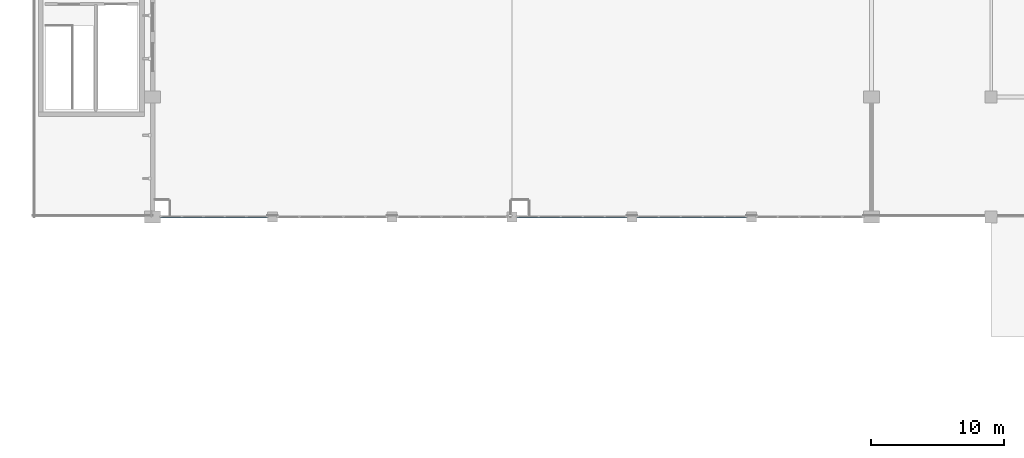
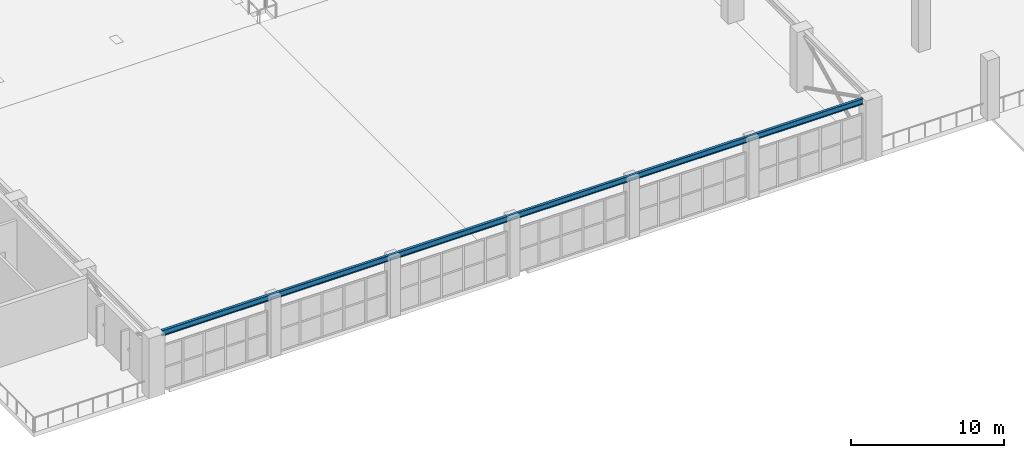
# One storey, part 8 of 89: 1 beam.
"""IFC4 building model written with IfcOpenShell, lengths in metres."""

from ifc_helpers import new_model, si_unit, direction, frame, origin, origin_2d, place, context, subcontext, project, spatial, i_section, extrude, material, material_profile, profile_set, type_object, element, save


model = new_model("IFC4")

# Units and contexts
model_context = context("Model", 3, precision=1e-05, world=origin(), true_north=direction((0.0, 1.0)))
body_context = subcontext(model_context, "Body", "Model", "MODEL_VIEW")
ifc_project = project(units=[si_unit("LENGTHUNIT", "METRE"), si_unit("AREAUNIT", "SQUARE_METRE"), si_unit("VOLUMEUNIT", "CUBIC_METRE"), si_unit("PLANEANGLEUNIT", "RADIAN"), si_unit("MASSUNIT", "GRAM", prefix="KILO")], contexts=[model_context])

# Site, building, storey
site_placement = place(None, origin())
site = spatial("IfcSite", under=ifc_project, at=site_placement, CompositionType="ELEMENT")
building_placement = place(site_placement, origin())
building = spatial("IfcBuilding", under=site, at=building_placement, Name="Dornveld Trade and Exhibition Forum", CompositionType="ELEMENT")
storey_placement = place(building_placement, frame((0.0, 0.0, 12.0)))
storey = spatial("IfcBuildingStorey", under=building, at=storey_placement, Name="L02", CompositionType="ELEMENT", Elevation=12.0)

# Beam
ifc_material = material(Name="Steel S355J2", Category="steel")
ifc_material_profile = material_profile(ifc_material, i_section(OverallWidth=0.18994140625, OverallDepth=0.449951171875, WebThickness=0.009521484375, FlangeThickness=0.0146484375, FilletRadius=0.02099609375, at=origin_2d()), Name="IPE 450")
ifc_profile_set = profile_set([ifc_material_profile], Name="Steel S355J2")
beam_type = type_object("IfcBeamType", Name="BM-SEC-450", PredefinedType="BEAM", material=ifc_profile_set)
beam_placement = place(storey_placement, frame((27.595947265625, 36.0, 4.574951171875), z_axis=(1.0, 0.0, 0.0), x_axis=(0.0, 1.0, 0.0)))
element("IfcBeam", 1, at=beam_placement, inside=storey, type_object=beam_type, Name="L02 X-girder 1443", PredefinedType="BEAM", context=body_context, shape_type="SweptSolid", body=[
    extrude(i_section(OverallWidth=0.18994140625, OverallDepth=0.449951171875, WebThickness=0.009521484375, FlangeThickness=0.0146484375, FilletRadius=0.02099609375, at=origin_2d()), origin(), (0.0, 0.0, 1.0), 52.80810546875),
])

save(model, "model.ifc")
